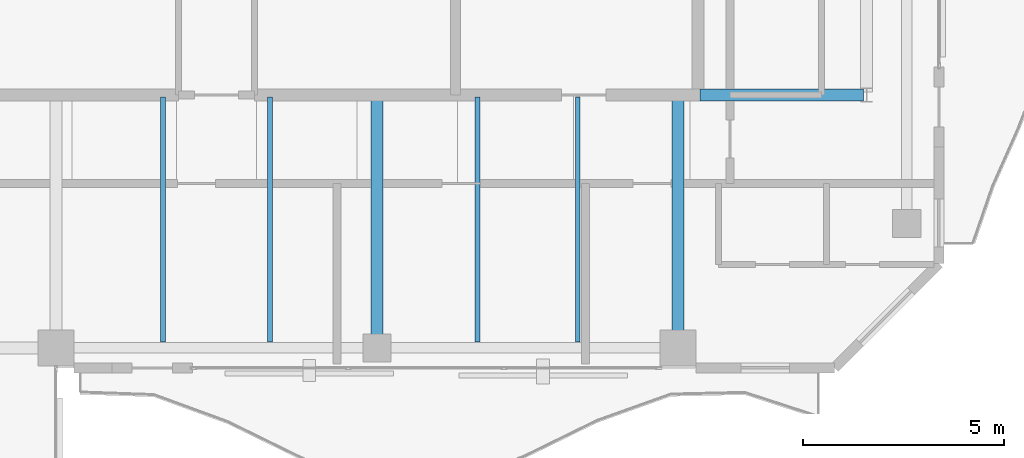
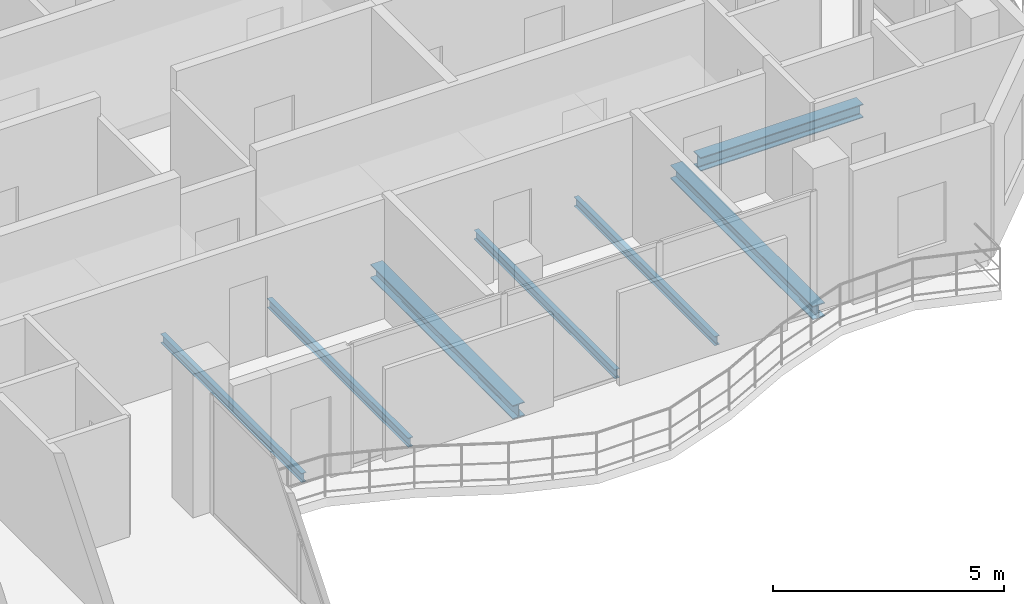
# One storey, part 11 of 18: 7 beams.
"""IFC4 building model written with IfcOpenShell, lengths in metres."""

from ifc_helpers import new_model, si_unit, direction, frame, origin, origin_2d, place, context, subcontext, project, spatial, i_section, extrude, material, material_profile, profile_set, type_object, element, save


model = new_model("IFC4")

# Units and contexts
model_context = context("Model", 3, precision=1e-05, world=origin(), true_north=direction((0.0, 1.0)))
body_context = subcontext(model_context, "Body", "Model", "MODEL_VIEW")
ifc_project = project(units=[si_unit("LENGTHUNIT", "METRE"), si_unit("AREAUNIT", "SQUARE_METRE"), si_unit("VOLUMEUNIT", "CUBIC_METRE"), si_unit("PLANEANGLEUNIT", "RADIAN"), si_unit("MASSUNIT", "GRAM", prefix="KILO")], contexts=[model_context])

# Site, building, storey
site_placement = place(None, origin())
site = spatial("IfcSite", under=ifc_project, at=site_placement, CompositionType="ELEMENT")
building_placement = place(site_placement, origin())
building = spatial("IfcBuilding", under=site, at=building_placement, Name="Catumbela Crestline Tower", CompositionType="ELEMENT")
storey_placement = place(building_placement, frame((0.0, 0.0, 264.0)))
storey = spatial("IfcBuildingStorey", under=building, at=storey_placement, Name="L68", CompositionType="ELEMENT", Elevation=264.0)

# Beams
ifc_material = material(Name="Structural steel S355J2", Category="steel")
ifc_material_profile_1 = material_profile(ifc_material, i_section(OverallWidth=0.3, OverallDepth=0.36, WebThickness=0.0125, FlangeThickness=0.0225, FilletRadius=0.027, at=origin_2d()), Name="HEB 360")
ifc_profile_set_1 = profile_set([ifc_material_profile_1], Name="Structural steel S355J2")
beam_type_1 = type_object("IfcBeamType", Name="BG-HEB360", PredefinedType="BEAM", material=ifc_profile_set_1)
beam_placement = place(storey_placement, frame((40.05, 30.8, -0.44), z_axis=(1.0, 0.0, 0.0), x_axis=(0.0, 1.0, 0.0)))
element("IfcBeam", 1, at=beam_placement, inside=storey, type_object=beam_type_1, Name="L68 Beam BM-L68-M04", PredefinedType="BEAM", context=body_context, shape_type="SweptSolid", body=[
    extrude(i_section(OverallWidth=0.3, OverallDepth=0.36, WebThickness=0.0125, FlangeThickness=0.0225, FilletRadius=0.027, at=origin_2d()), origin(), (0.0, 0.0, 1.0), 4.07),
])
for number, where, z_axis, x_axis, name in (
    (2, (32.0, 24.58, -0.44), (0.0, 1.0, 0.0), (-1.0, 0.0, 0.0), "L68 Beam BM-L68-SNS08"),
    (3, (39.5, 24.58, -0.44), (0.0, 1.0, 0.0), (-1.0, 0.0, 0.0), "L68 Beam BM-L68-SNS09"),
):
    element("IfcBeam", number, at=place(storey_placement, frame(where, z_axis=z_axis, x_axis=x_axis)), inside=storey, type_object=beam_type_1, Name=name, PredefinedType="BEAM", context=body_context, shape_type="SweptSolid", body=[
        extrude(i_section(OverallWidth=0.3, OverallDepth=0.36, WebThickness=0.0125, FlangeThickness=0.0225, FilletRadius=0.027, at=origin_2d()), origin(), (0.0, 0.0, 1.0), 6.17),
    ])
ifc_material_profile_2 = material_profile(ifc_material, i_section(OverallWidth=0.12, OverallDepth=0.24, WebThickness=0.0062, FlangeThickness=0.0098, FilletRadius=0.015, at=origin_2d()), Name="IPE 240")
ifc_profile_set_2 = profile_set([ifc_material_profile_2], Name="Structural steel S355J2")
beam_type_2 = type_object("IfcBeamType", Name="BJ-IPE240", PredefinedType="JOIST", material=ifc_profile_set_2)
for number, where, z_axis, x_axis, name in (
    (4, (26.667, 24.647, -0.38), (0.0, 1.0, 0.0), (-1.0, 0.0, 0.0), "L68 Joist JS-L68-SP14"),
    (5, (29.333, 24.647, -0.38), (0.0, 1.0, 0.0), (-1.0, 0.0, 0.0), "L68 Joist JS-L68-SP15"),
    (6, (34.5, 24.647, -0.38), (0.0, 1.0, 0.0), (-1.0, 0.0, 0.0), "L68 Joist JS-L68-SP16"),
    (7, (37.0, 24.647, -0.38), (0.0, 1.0, 0.0), (-1.0, 0.0, 0.0), "L68 Joist JS-L68-SP17"),
):
    element("IfcBeam", number, at=place(storey_placement, frame(where, z_axis=z_axis, x_axis=x_axis)), inside=storey, type_object=beam_type_2, Name=name, PredefinedType="JOIST", context=body_context, shape_type="SweptSolid", body=[
        extrude(i_section(OverallWidth=0.12, OverallDepth=0.24, WebThickness=0.0062, FlangeThickness=0.0098, FilletRadius=0.015, at=origin_2d()), origin(), (0.0, 0.0, 1.0), 6.103),
    ])

save(model, "model.ifc")
